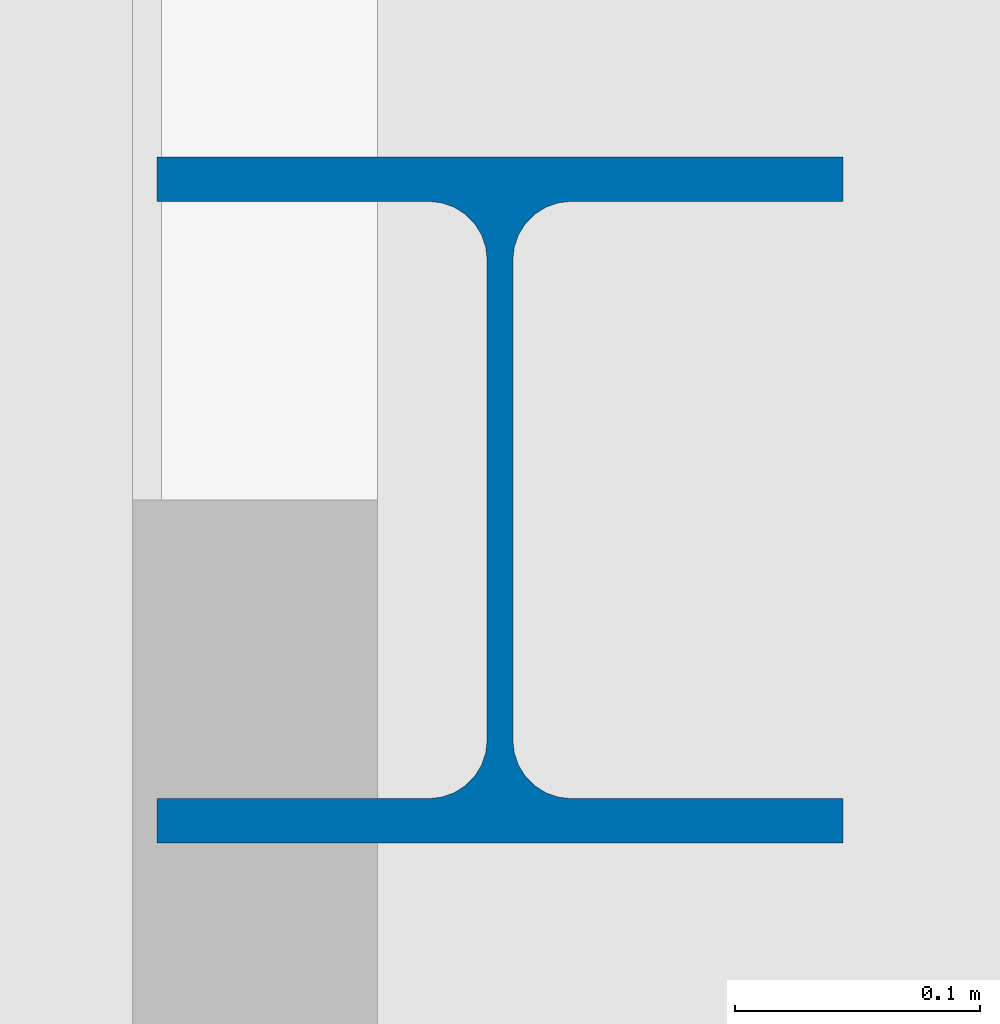
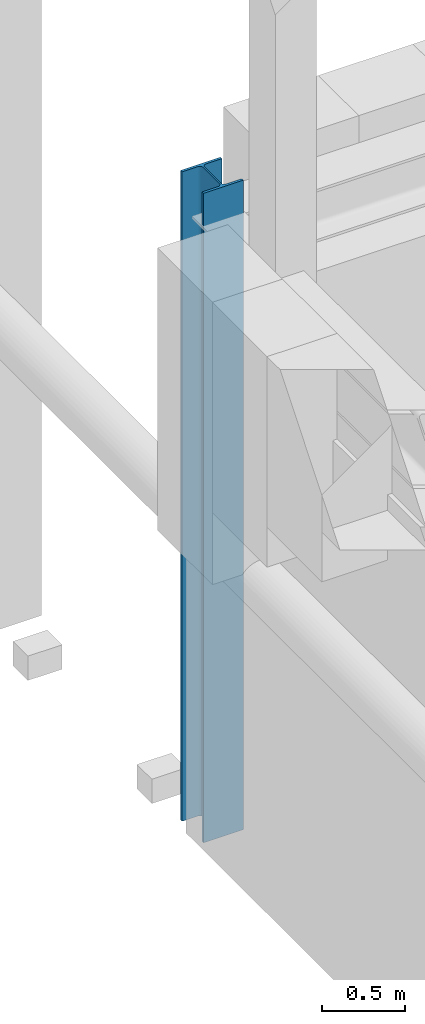
# One storey, part 2 of 35: 1 column.
"""IFC4 building model written with IfcOpenShell, lengths in metres."""

from ifc_helpers import new_model, si_unit, direction, frame, origin, origin_2d, place, context, subcontext, project, spatial, i_section, extrude, material, material_profile, profile_set, type_object, element, save


model = new_model("IFC4")

# Units and contexts
model_context = context("Model", 3, precision=1e-05, world=origin(), true_north=direction((0.0, 1.0)))
body_context = subcontext(model_context, "Body", "Model", "MODEL_VIEW")
ifc_project = project(units=[si_unit("LENGTHUNIT", "METRE"), si_unit("AREAUNIT", "SQUARE_METRE"), si_unit("VOLUMEUNIT", "CUBIC_METRE"), si_unit("PLANEANGLEUNIT", "RADIAN"), si_unit("MASSUNIT", "GRAM", prefix="KILO")], contexts=[model_context])

# Site, building, storey
site_placement = place(None, origin())
site = spatial("IfcSite", under=ifc_project, at=site_placement, CompositionType="ELEMENT")
building_placement = place(site_placement, origin())
building = spatial("IfcBuilding", under=site, at=building_placement, Name="Zlatogorsky Bluff Art Gallery", CompositionType="ELEMENT")
storey_placement = place(building_placement, frame((0.0, 0.0, 23.39990234375)))
storey = spatial("IfcBuildingStorey", under=building, at=storey_placement, Name="L04", CompositionType="ELEMENT", Elevation=23.39990234375)

# Column
ifc_material = material(Name="Steel S355", Category="steel")
ifc_material_profile = material_profile(ifc_material, i_section(OverallWidth=0.280029296875, OverallDepth=0.280029296875, WebThickness=0.010498046875, FlangeThickness=0.01806640625, FilletRadius=0.02392578125, at=origin_2d()), Name="HEB 280")
ifc_profile_set = profile_set([ifc_material_profile], Name="Steel S355")
column_type = type_object("IfcColumnType", Name="Column CL-07 HEB 280", PredefinedType="COLUMN", material=ifc_profile_set)
column_placement = place(storey_placement, frame((120.0, 108.0, 0.0), z_axis=(0.0, 0.0, 1.0), x_axis=(1.0, 0.0, 0.0)))
element("IfcColumn", 1, at=column_placement, inside=storey, type_object=column_type, Name="Column CL-07 L04 L11", PredefinedType="COLUMN", context=body_context, shape_type="SweptSolid", body=[
    extrude(i_section(OverallWidth=0.280029296875, OverallDepth=0.280029296875, WebThickness=0.010498046875, FlangeThickness=0.01806640625, FilletRadius=0.02392578125, at=origin_2d()), origin(), (0.0, 0.0, 1.0), 4.800048828125),
])

save(model, "model.ifc")
